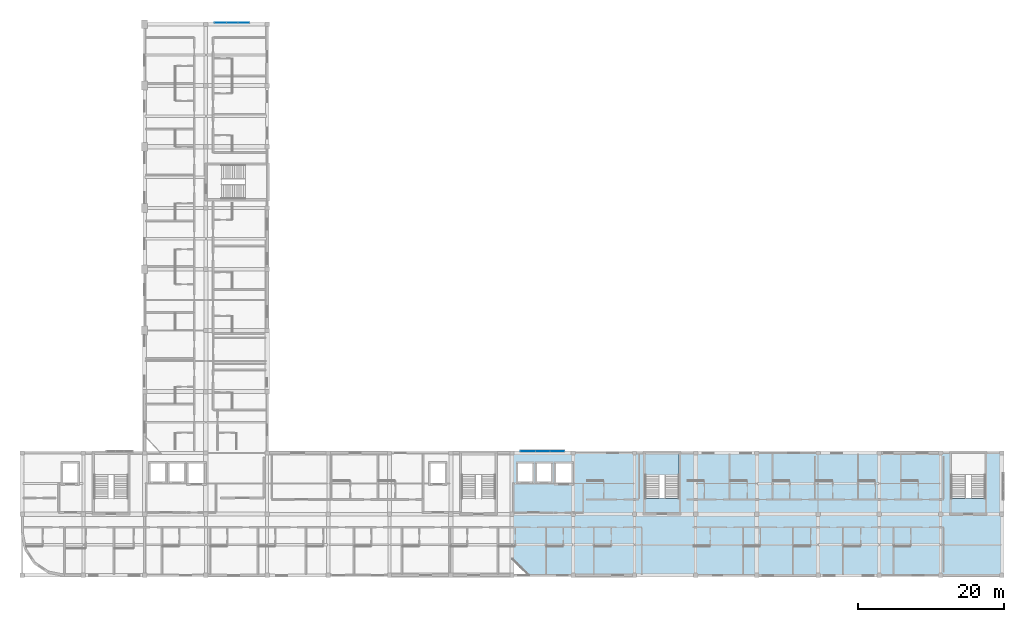
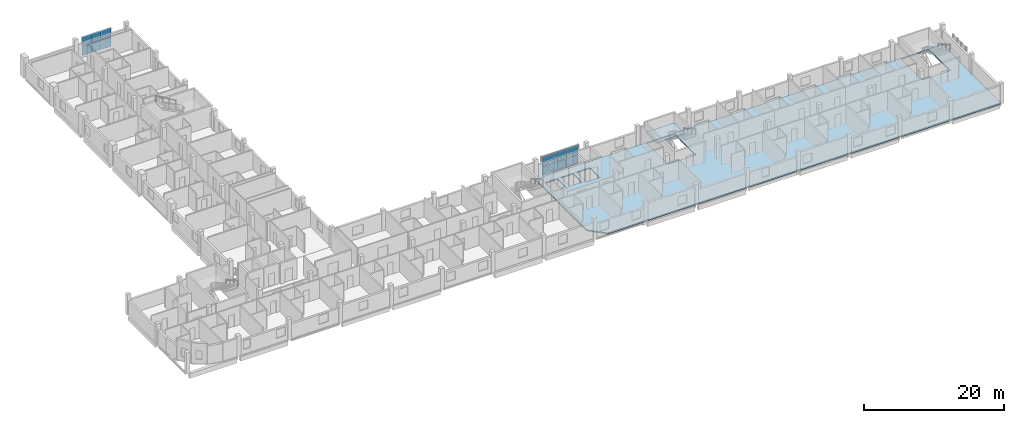
# One storey, part 9 of 24: 12 plates, 2 slabs, 3 elements without a shape of their own.
"""IFC4 building model written with IfcOpenShell, lengths in metres."""

from ifc_helpers import new_model, si_unit, derived_unit, direction, frame, origin, origin_2d, place, context, subcontext, project, spatial, polyline, rectangle, outline, extrude, material, layer, layer_set, type_object, element, aggregate, save


model = new_model("IFC4")

# Units and contexts
model_context = context("Model", 3, precision=1e-05, world=origin(), true_north=direction((0.0, 1.0)))
body_context = subcontext(model_context, "Body", "Model", "MODEL_VIEW")
ifc_project = project(units=[si_unit("LENGTHUNIT", "METRE"), si_unit("AREAUNIT", "SQUARE_METRE"), si_unit("VOLUMEUNIT", "CUBIC_METRE"), si_unit("PLANEANGLEUNIT", "RADIAN"), si_unit("MASSUNIT", "GRAM", prefix="KILO"), derived_unit("THERMALTRANSMITTANCEUNIT", [(si_unit("POWERUNIT", "WATT"), 1), (si_unit("LENGTHUNIT", "METRE"), -2), (si_unit("THERMODYNAMICTEMPERATUREUNIT", "KELVIN"), -1)])], contexts=[model_context])

# Site, building, storey
site_placement = place(None, origin())
site = spatial("IfcSite", under=ifc_project, at=site_placement, CompositionType="ELEMENT")
building_placement = place(site_placement, origin())
building = spatial("IfcBuilding", under=site, at=building_placement, Name="Barrovel Congress Hotel", CompositionType="ELEMENT")
storey_placement = place(building_placement, frame((0.0, 0.0, 29.10009765625)))
storey = spatial("IfcBuildingStorey", under=building, at=storey_placement, Name="L07", CompositionType="ELEMENT", Elevation=29.10009765625)

# Curtain wall, plates
ifc_material_1 = material(Name="Anodised Aluminium Alloy 6063-T6", Category="aluminium")
curtain_wall_type_1 = type_object("IfcCurtainWallType", Name="CW-UN-4800x3200", PredefinedType="USERDEFINED", material=ifc_material_1)
curtain_wall_1_placement = place(storey_placement, origin())
curtain_wall_1 = element("IfcCurtainWall", 1, at=curtain_wall_1_placement, inside=storey, type_object=curtain_wall_type_1, Name="CW:L07:UN-2", ObjectType="UNITISED CURTAIN WALL", PredefinedType="USERDEFINED")
ifc_material_2 = material(Name="Double Low-E Insulated Glazing", Category="glass")
ifc_layer_1 = layer(ifc_material_2, 0.028076171875)
ifc_layer_set_1 = layer_set([ifc_layer_1], Name="Double Low-E Insulated Glazing")
plate_type = type_object("IfcPlateType", Name="CWP-28", PredefinedType="CURTAIN_PANEL", material=ifc_layer_set_1)
plate_1_placement = place(storey_placement, frame((44.0, 80.02001953125, 0.030029296875), z_axis=(0.0, 0.0, 1.0), x_axis=(1.0, 0.0, 0.0)))
plate_1 = element("IfcPlate", 2, at=plate_1_placement, type_object=plate_type, Name="CW:L07:UN-2:P0-0", PredefinedType="CURTAIN_PANEL", context=body_context, shape_type="SweptSolid", body=[
    extrude(rectangle(XDim=1.5400390625, YDim=0.028076171875, at=origin_2d()), origin(), (0.0, 0.0, 1.0), 1.56494140625),
])
plate_2_placement = place(storey_placement, frame((44.0, 80.02001953125, 1.655029296875), z_axis=(0.0, 0.0, 1.0), x_axis=(1.0, 0.0, 0.0)))
plate_2 = element("IfcPlate", 3, at=plate_2_placement, type_object=plate_type, Name="CW:L07:UN-2:P0-1", PredefinedType="CURTAIN_PANEL", context=body_context, shape_type="SweptSolid", body=[
    extrude(rectangle(XDim=1.5400390625, YDim=0.028076171875, at=origin_2d()), origin(), (0.0, 0.0, 1.0), 1.56494140625),
])
plate_3_placement = place(storey_placement, frame((45.60009765625, 80.02001953125, 0.030029296875), z_axis=(0.0, 0.0, 1.0), x_axis=(1.0, 0.0, 0.0)))
plate_3 = element("IfcPlate", 4, at=plate_3_placement, type_object=plate_type, Name="CW:L07:UN-2:P1-0", PredefinedType="CURTAIN_PANEL", context=body_context, shape_type="SweptSolid", body=[
    extrude(rectangle(XDim=1.5400390625, YDim=0.028076171875, at=origin_2d()), origin(), (0.0, 0.0, 1.0), 1.56494140625),
])
plate_4_placement = place(storey_placement, frame((45.60009765625, 80.02001953125, 1.655029296875), z_axis=(0.0, 0.0, 1.0), x_axis=(1.0, 0.0, 0.0)))
plate_4 = element("IfcPlate", 5, at=plate_4_placement, type_object=plate_type, Name="CW:L07:UN-2:P1-1", PredefinedType="CURTAIN_PANEL", context=body_context, shape_type="SweptSolid", body=[
    extrude(rectangle(XDim=1.5400390625, YDim=0.028076171875, at=origin_2d()), origin(), (0.0, 0.0, 1.0), 1.56494140625),
])
plate_5_placement = place(storey_placement, frame((47.199951171875, 80.02001953125, 0.030029296875), z_axis=(0.0, 0.0, 1.0), x_axis=(1.0, 0.0, 0.0)))
plate_5 = element("IfcPlate", 6, at=plate_5_placement, type_object=plate_type, Name="CW:L07:UN-2:P2-0", PredefinedType="CURTAIN_PANEL", context=body_context, shape_type="SweptSolid", body=[
    extrude(rectangle(XDim=1.5400390625, YDim=0.028076171875, at=origin_2d()), origin(), (0.0, 0.0, 1.0), 1.56494140625),
])
plate_6_placement = place(storey_placement, frame((47.199951171875, 80.02001953125, 1.655029296875), z_axis=(0.0, 0.0, 1.0), x_axis=(1.0, 0.0, 0.0)))
plate_6 = element("IfcPlate", 7, at=plate_6_placement, type_object=plate_type, Name="CW:L07:UN-2:P2-1", PredefinedType="CURTAIN_PANEL", context=body_context, shape_type="SweptSolid", body=[
    extrude(rectangle(XDim=1.5400390625, YDim=0.028076171875, at=origin_2d()), origin(), (0.0, 0.0, 1.0), 1.56494140625),
])
aggregate(curtain_wall_1, [plate_1, plate_2, plate_3, plate_4, plate_5, plate_6])

curtain_wall_type_2 = type_object("IfcCurtainWallType", Name="CW-UN-6000x3200", PredefinedType="USERDEFINED", material=ifc_material_1)
curtain_wall_2_placement = place(storey_placement, origin())
curtain_wall_2 = element("IfcCurtainWall", 8, at=curtain_wall_2_placement, inside=storey, type_object=curtain_wall_type_2, Name="CW:L07:UN-4", ObjectType="UNITISED CURTAIN WALL", PredefinedType="USERDEFINED")
plate_7_placement = place(storey_placement, frame((86.199951171875, 21.219970703125, 0.030029296875), z_axis=(0.0, 0.0, 1.0), x_axis=(1.0, 0.0, 0.0)))
plate_7 = element("IfcPlate", 9, at=plate_7_placement, type_object=plate_type, Name="CW:L07:UN-4:P0-0", PredefinedType="CURTAIN_PANEL", context=body_context, shape_type="SweptSolid", body=[
    extrude(rectangle(XDim=1.93994140625, YDim=0.028076171875, at=origin_2d()), origin(), (0.0, 0.0, 1.0), 1.56494140625),
])
plate_8_placement = place(storey_placement, frame((86.199951171875, 21.219970703125, 1.655029296875), z_axis=(0.0, 0.0, 1.0), x_axis=(1.0, 0.0, 0.0)))
plate_8 = element("IfcPlate", 10, at=plate_8_placement, type_object=plate_type, Name="CW:L07:UN-4:P0-1", PredefinedType="CURTAIN_PANEL", context=body_context, shape_type="SweptSolid", body=[
    extrude(rectangle(XDim=1.93994140625, YDim=0.028076171875, at=origin_2d()), origin(), (0.0, 0.0, 1.0), 1.56494140625),
])
plate_9_placement = place(storey_placement, frame((88.199951171875, 21.219970703125, 0.030029296875), z_axis=(0.0, 0.0, 1.0), x_axis=(1.0, 0.0, 0.0)))
plate_9 = element("IfcPlate", 11, at=plate_9_placement, type_object=plate_type, Name="CW:L07:UN-4:P1-0", PredefinedType="CURTAIN_PANEL", context=body_context, shape_type="SweptSolid", body=[
    extrude(rectangle(XDim=1.93994140625, YDim=0.028076171875, at=origin_2d()), origin(), (0.0, 0.0, 1.0), 1.56494140625),
])
plate_10_placement = place(storey_placement, frame((88.199951171875, 21.219970703125, 1.655029296875), z_axis=(0.0, 0.0, 1.0), x_axis=(1.0, 0.0, 0.0)))
plate_10 = element("IfcPlate", 12, at=plate_10_placement, type_object=plate_type, Name="CW:L07:UN-4:P1-1", PredefinedType="CURTAIN_PANEL", context=body_context, shape_type="SweptSolid", body=[
    extrude(rectangle(XDim=1.93994140625, YDim=0.028076171875, at=origin_2d()), origin(), (0.0, 0.0, 1.0), 1.56494140625),
])
plate_11_placement = place(storey_placement, frame((90.199951171875, 21.219970703125, 0.030029296875), z_axis=(0.0, 0.0, 1.0), x_axis=(1.0, 0.0, 0.0)))
plate_11 = element("IfcPlate", 13, at=plate_11_placement, type_object=plate_type, Name="CW:L07:UN-4:P2-0", PredefinedType="CURTAIN_PANEL", context=body_context, shape_type="SweptSolid", body=[
    extrude(rectangle(XDim=1.93994140625, YDim=0.028076171875, at=origin_2d()), origin(), (0.0, 0.0, 1.0), 1.56494140625),
])
plate_12_placement = place(storey_placement, frame((90.199951171875, 21.219970703125, 1.655029296875), z_axis=(0.0, 0.0, 1.0), x_axis=(1.0, 0.0, 0.0)))
plate_12 = element("IfcPlate", 14, at=plate_12_placement, type_object=plate_type, Name="CW:L07:UN-4:P2-1", PredefinedType="CURTAIN_PANEL", context=body_context, shape_type="SweptSolid", body=[
    extrude(rectangle(XDim=1.93994140625, YDim=0.028076171875, at=origin_2d()), origin(), (0.0, 0.0, 1.0), 1.56494140625),
])
aggregate(curtain_wall_2, [plate_7, plate_8, plate_9, plate_10, plate_11, plate_12])

# Slab
ifc_material_3 = material(Name="Concrete C35", Category="concrete")
ifc_layer_2 = layer(ifc_material_3, 0.219970703125)
ifc_layer_set_2 = layer_set([ifc_layer_2], Name="Concrete C35")
slab_type_1 = type_object("IfcSlabType", Name="SL-F220", PredefinedType="FLOOR", material=ifc_layer_set_2)
slab_1_placement = place(storey_placement, frame((0.0, 0.0, -0.22021484375)))
element("IfcSlab", 15, at=slab_1_placement, inside=storey, type_object=slab_type_1, Name="SLAB:L07:HOT-S2", PredefinedType="FLOOR", context=body_context, shape_type="SweptSolid", body=[
    extrude(outline(polyline([(86.199951171875, 4.199951171875), (151.199951171875, 4.199951171875), (151.199951171875, 21.0), (84.0, 21.0), (84.0, 6.39990234375), (86.199951171875, 4.199951171875)]), holes=[polyline([(102.300048828125, 14.780029296875), (102.300048828125, 20.919921875), (106.89990234375, 20.919921875), (106.89990234375, 14.780029296875), (102.300048828125, 14.780029296875)]), polyline([(144.300048828125, 14.780029296875), (144.300048828125, 20.919921875), (148.89990234375, 20.919921875), (148.89990234375, 14.780029296875), (144.300048828125, 14.780029296875)]), polyline([(84.800048828125, 17.050048828125), (84.800048828125, 19.550048828125), (86.800048828125, 19.550048828125), (86.800048828125, 17.050048828125), (84.800048828125, 17.050048828125)]), polyline([(87.39990234375, 17.050048828125), (87.39990234375, 19.550048828125), (89.39990234375, 19.550048828125), (89.39990234375, 17.050048828125), (87.39990234375, 17.050048828125)]), polyline([(90.0, 16.800048828125), (90.0, 19.60009765625), (92.199951171875, 19.60009765625), (92.199951171875, 16.800048828125), (90.0, 16.800048828125)])]), origin(), (0.0, 0.0, 1.0), 0.22021484375),
])

# Stair, slab
ifc_material_4 = material(Name="Concrete C40", Category="concrete")
stair_type = type_object("IfcStairType", Name="STR-HT-360", PredefinedType="HALF_TURN_STAIR", material=ifc_material_4)
stair_placement = place(storey_placement, origin())
stair = element("IfcStair", 16, at=stair_placement, inside=storey, type_object=stair_type, Name="Exit Stair XS-03 (L07)", PredefinedType="HALF_TURN_STAIR")
ifc_layer_3 = layer(ifc_material_4, 0.22998046875)
ifc_layer_set_3 = layer_set([ifc_layer_3], Name="Concrete C40")
slab_type_2 = type_object("IfcSlabType", Name="SL-LDG-230", PredefinedType="LANDING", material=ifc_layer_set_3)
slab_2_placement = place(storey_placement, frame((0.0, 0.0, 1.56982421875)))
slab_2 = element("IfcSlab", 17, at=slab_2_placement, type_object=slab_type_2, Name="STAIR:XS-03:L07:LDG", PredefinedType="LANDING", context=body_context, shape_type="SweptSolid", body=[
    extrude(outline(polyline([(102.280029296875, 18.010009765625), (106.919921875, 18.010009765625), (106.919921875, 21.02001953125), (102.280029296875, 21.02001953125), (102.280029296875, 18.010009765625)])), origin(), (0.0, 0.0, 1.0), 0.22998046875),
])
aggregate(stair, [slab_2])

save(model, "model.ifc")
